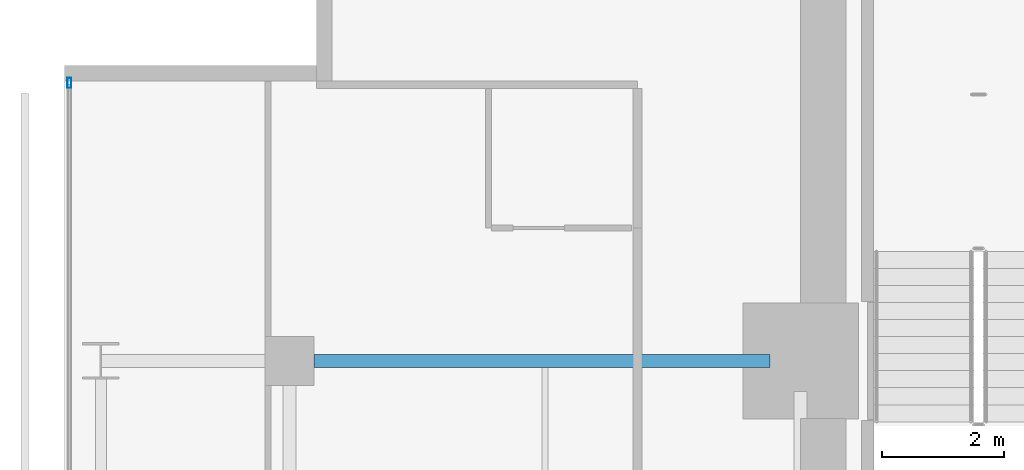
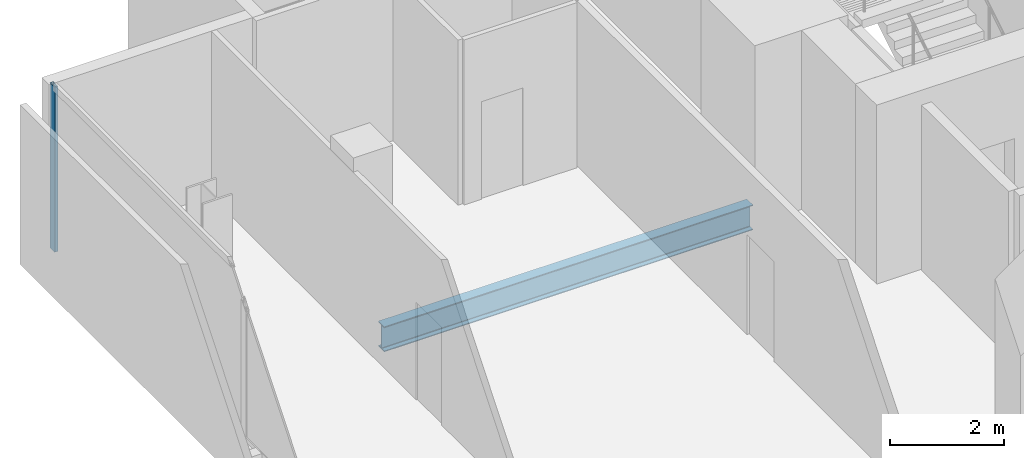
# One storey, part 20 of 32: 1 beam, 1 member, 1 element without a shape of its own.
"""IFC4 building model written with IfcOpenShell, lengths in metres."""

from ifc_helpers import new_model, si_unit, direction, frame, origin, origin_2d, place, context, subcontext, project, spatial, hollow_rectangle, i_section, extrude, material, layer, layer_set, material_profile, profile_set, type_object, element, aggregate, save


model = new_model("IFC4")

# Units and contexts
model_context = context("Model", 3, precision=1e-05, world=origin(), true_north=direction((0.0, 1.0)))
body_context = subcontext(model_context, "Body", "Model", "MODEL_VIEW")
ifc_project = project(units=[si_unit("LENGTHUNIT", "METRE"), si_unit("AREAUNIT", "SQUARE_METRE"), si_unit("VOLUMEUNIT", "CUBIC_METRE"), si_unit("PLANEANGLEUNIT", "RADIAN"), si_unit("MASSUNIT", "GRAM", prefix="KILO")], contexts=[model_context])

# Site, building, storey
site_placement = place(None, origin())
site = spatial("IfcSite", under=ifc_project, at=site_placement, CompositionType="ELEMENT")
building_placement = place(site_placement, origin())
building = spatial("IfcBuilding", under=site, at=building_placement, Name="Maruvema Waterfront Hotel and Observation Tower", CompositionType="ELEMENT")
storey_placement = place(building_placement, frame((0.0, 0.0, 223.64990234375)))
storey = spatial("IfcBuildingStorey", under=building, at=storey_placement, Name="L55", CompositionType="ELEMENT", Elevation=223.64990234375)

# Curtain wall, member
ifc_material_1 = material(Name="Anodised bronze aluminium and solar-control low-E IGU", Category="aluminium")
ifc_layer = layer(ifc_material_1, 0.159912109375, Name="Zone 2 Amber Inner Thermal Curtain Wall System CW-03")
ifc_layer_set = layer_set([ifc_layer], Name="Anodised bronze aluminium and solar-control low-E IGU")
curtain_wall_type = type_object("IfcCurtainWallType", Name="Zone 2 Amber Inner Thermal Curtain Wall System CW-03", PredefinedType="USERDEFINED", material=ifc_layer_set)
curtain_wall_placement = place(storey_placement, origin())
curtain_wall = element("IfcCurtainWall", 1, at=curtain_wall_placement, inside=storey, type_object=curtain_wall_type, Name="L55 Curtain Wall CW-L55-W", ObjectType="UNITISED CURTAIN WALL", PredefinedType="USERDEFINED")
ifc_material_2 = material(Name="Anodised architectural bronze aluminium", Category="aluminium")
ifc_material_profile_1 = material_profile(ifc_material_2, hollow_rectangle(XDim=0.06494140625, YDim=0.1650390625, WallThickness=0.00390625, at=origin_2d()), Name="ALU-M65x165")
ifc_profile_set_1 = profile_set([ifc_material_profile_1], Name="Anodised architectural bronze aluminium")
member_type = type_object("IfcMemberType", Name="Curtain Wall Primary Mullion ALU-M65x165", PredefinedType="MULLION", material=ifc_profile_set_1)
member_placement = place(storey_placement, frame((13.179931640625, 49.570068359375, 0.0), z_axis=(0.0, 0.0, 1.0), x_axis=(1.0, 0.0, 0.0)))
member = element("IfcMember", 2, at=member_placement, type_object=member_type, Name="CW-03 mullion 1", PredefinedType="MULLION", context=body_context, shape_type="SweptSolid", body=[
    extrude(hollow_rectangle(XDim=0.06494140625, YDim=0.1650390625, WallThickness=0.00390625, at=origin_2d()), origin(), (0.0, 0.0, 1.0), 3.550048828125),
])
aggregate(curtain_wall, [member])

# Beam
ifc_material_3 = material(Name="Steel ASTM A572 Grade 50", Category="steel")
ifc_material_profile_2 = material_profile(ifc_material_3, i_section(OverallWidth=0.2109375, OverallDepth=0.5390625, WebThickness=0.01171875, FlangeThickness=0.018798828125, FilletRadius=0.014892578125, at=origin_2d()), Name="W530x109.0")
ifc_profile_set_2 = profile_set([ifc_material_profile_2], Name="Steel ASTM A572 Grade 50")
beam_type = type_object("IfcBeamType", Name="Primary Floor Girder W530x109.0", PredefinedType="BEAM", material=ifc_profile_set_2)
beam_placement = place(storey_placement, frame((17.199951171875, 45.0, -0.509521484375), z_axis=(1.0, 0.0, 0.0), x_axis=(0.0, 1.0, 0.0)))
element("IfcBeam", 3, at=beam_placement, inside=storey, type_object=beam_type, Name="L55 Floor Girder EW-31", PredefinedType="BEAM", context=body_context, shape_type="SweptSolid", body=[
    extrude(i_section(OverallWidth=0.2109375, OverallDepth=0.5390625, WebThickness=0.01171875, FlangeThickness=0.018798828125, FilletRadius=0.014892578125, at=origin_2d()), origin(), (0.0, 0.0, 1.0), 7.5),
])

save(model, "model.ifc")
